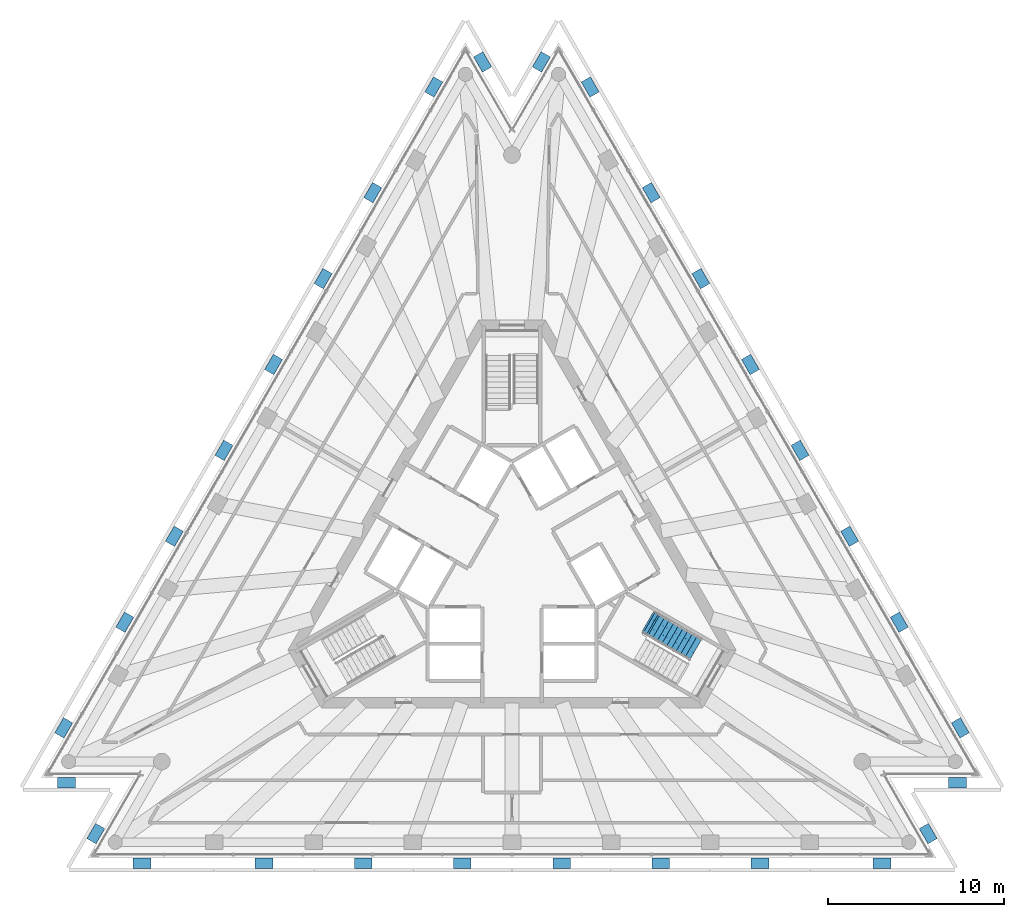
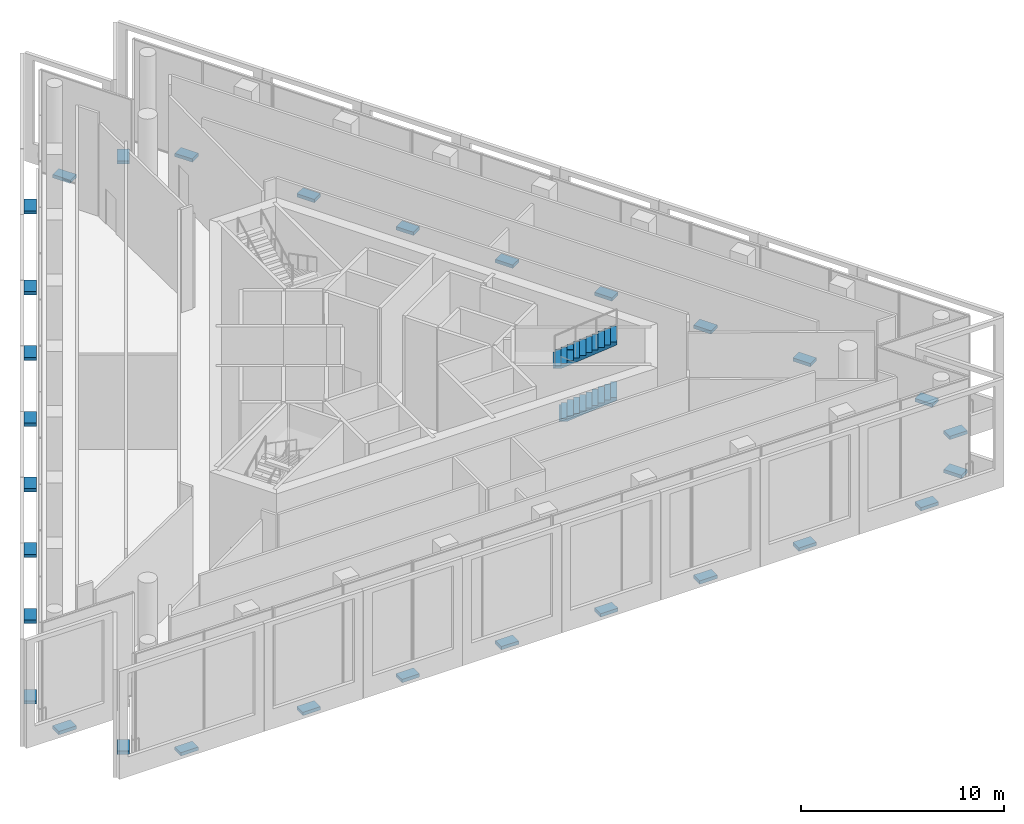
# One storey, part 14 of 16: 30 discrete accessories, 2 stair flights, 1 element without a shape of its own.
"""IFC4 building model written with IfcOpenShell, lengths in metres."""

from ifc_helpers import new_model, si_unit, direction, frame, origin, origin_2d, place, context, subcontext, project, spatial, polyline, rectangle, outline, extrude, material, type_object, element, aggregate, save


model = new_model("IFC4")

# Units and contexts
model_context = context("Model", 3, precision=1e-05, world=origin(), true_north=direction((0.0, 1.0)))
body_context = subcontext(model_context, "Body", "Model", "MODEL_VIEW")
ifc_project = project(units=[si_unit("LENGTHUNIT", "METRE"), si_unit("AREAUNIT", "SQUARE_METRE"), si_unit("VOLUMEUNIT", "CUBIC_METRE"), si_unit("PLANEANGLEUNIT", "RADIAN"), si_unit("MASSUNIT", "GRAM", prefix="KILO")], contexts=[model_context])

# Site, building, storey
site_placement = place(None, origin())
site = spatial("IfcSite", under=ifc_project, at=site_placement, CompositionType="ELEMENT")
building_placement = place(site_placement, origin())
building = spatial("IfcBuilding", under=site, at=building_placement, Name="Triada Interchange Tower", CompositionType="ELEMENT")
storey_placement = place(building_placement, frame((0.0, 0.0, 261.800048828125)))
storey = spatial("IfcBuildingStorey", under=building, at=storey_placement, Name="L61", CompositionType="ELEMENT", Elevation=261.800048828125)

# Stair, stair flights
ifc_material_1 = material(Name="Concrete C35/45", Category="concrete")
stair_type = type_object("IfcStairType", Name="HALF TURN STAIR 1400", PredefinedType="HALF_TURN_STAIR", material=ifc_material_1)
stair_placement = place(storey_placement, origin())
stair = element("IfcStair", 1, at=stair_placement, inside=storey, type_object=stair_type, Name="Exit stair S61-3", PredefinedType="HALF_TURN_STAIR")
stair_flight_type = type_object("IfcStairFlightType", Name="STRAIGHT STAIR FLIGHT 1400", PredefinedType="STRAIGHT", material=ifc_material_1)
stair_flight_1_placement = place(storey_placement, frame((8.069091796875, -3.735107421875, 1.58544921875), z_axis=(0.0, 0.0, 1.0), x_axis=(0.866025403784, -0.5, 0.0)))
stair_flight_1 = element("IfcStairFlight", 2, at=stair_flight_1_placement, type_object=stair_flight_type, Name="S61-3 flight 2", NumberOfRisers=10, NumberOfTreads=9, PredefinedType="STRAIGHT", RiserHeight=0.15854, TreadLength=0.305, context=body_context, shape_type="SweptSolid", body=[
    extrude(outline(polyline([(-0.10009765625, 0.0), (-0.10009765625, 0.02001953125), (0.0, 0.02001953125), (0.0, 0.158447265625), (0.304931640625, 0.158447265625), (0.304931640625, 0.317138671875), (0.610107421875, 0.317138671875), (0.610107421875, 0.4755859375), (0.9150390625, 0.4755859375), (0.9150390625, 0.63427734375), (1.219970703125, 0.63427734375), (1.219970703125, 0.792724609375), (1.52490234375, 0.792724609375), (1.52490234375, 0.951171875), (1.830078125, 0.951171875), (1.830078125, 1.10986328125), (2.135009765625, 1.10986328125), (2.135009765625, 1.268310546875), (2.43994140625, 1.268310546875), (2.43994140625, 1.4267578125), (2.7451171875, 1.4267578125), (2.7490234375, 1.4267578125), (2.7490234375, 1.58544921875), (2.7490234375, 1.2578125), (0.324951171875, 0.0), (-0.10009765625, 0.0)])), frame((0.0, 0.699951171875, 0.0), z_axis=(0.0, -1.0, 0.0), x_axis=(1.0, 0.0, 0.0)), (0.0, 0.0, 1.0), 0.46533203125),
    extrude(outline(polyline([(-0.10009765625, 0.0), (-0.10009765625, 0.02001953125), (0.0, 0.02001953125), (0.0, 0.158447265625), (0.304931640625, 0.158447265625), (0.304931640625, 0.317138671875), (0.610107421875, 0.317138671875), (0.610107421875, 0.4755859375), (0.9150390625, 0.4755859375), (0.9150390625, 0.63427734375), (1.219970703125, 0.63427734375), (1.219970703125, 0.792724609375), (1.52490234375, 0.792724609375), (1.52490234375, 0.951171875), (1.830078125, 0.951171875), (1.830078125, 1.10986328125), (2.135009765625, 1.10986328125), (2.135009765625, 1.268310546875), (2.43994140625, 1.268310546875), (2.43994140625, 1.4267578125), (2.7451171875, 1.4267578125), (2.7490234375, 1.4267578125), (2.7490234375, 1.58544921875), (2.7490234375, 1.2578125), (0.324951171875, 0.0), (-0.10009765625, 0.0)])), frame((0.0, 0.232666015625, 0.0), z_axis=(0.0, -1.0, 0.0), x_axis=(1.0, 0.0, 0.0)), (0.0, 0.0, 1.0), 0.46533203125),
    extrude(outline(polyline([(-0.10009765625, 0.0), (-0.10009765625, 0.02001953125), (0.0, 0.02001953125), (0.0, 0.158447265625), (0.304931640625, 0.158447265625), (0.304931640625, 0.317138671875), (0.610107421875, 0.317138671875), (0.610107421875, 0.4755859375), (0.9150390625, 0.4755859375), (0.9150390625, 0.63427734375), (1.219970703125, 0.63427734375), (1.219970703125, 0.792724609375), (1.52490234375, 0.792724609375), (1.52490234375, 0.951171875), (1.830078125, 0.951171875), (1.830078125, 1.10986328125), (2.135009765625, 1.10986328125), (2.135009765625, 1.268310546875), (2.43994140625, 1.268310546875), (2.43994140625, 1.4267578125), (2.7451171875, 1.4267578125), (2.7490234375, 1.4267578125), (2.7490234375, 1.58544921875), (2.7490234375, 1.2578125), (0.324951171875, 0.0), (-0.10009765625, 0.0)])), frame((0.0, -0.234619140625, 0.0), z_axis=(0.0, -1.0, 0.0), x_axis=(1.0, 0.0, 0.0)), (0.0, 0.0, 1.0), 0.46533203125),
])
stair_flight_2_placement = place(storey_placement, frame((7.804931640625, -3.58203125, 4.756103515625), z_axis=(0.0, 0.0, 1.0), x_axis=(0.866025403784, -0.5, 0.0)))
stair_flight_2 = element("IfcStairFlight", 3, at=stair_flight_2_placement, type_object=stair_flight_type, Name="S61-3 flight 4", NumberOfRisers=11, NumberOfTreads=10, PredefinedType="STRAIGHT", RiserHeight=0.15854, TreadLength=0.305, context=body_context, shape_type="SweptSolid", body=[
    extrude(outline(polyline([(-0.10009765625, 0.0), (-0.10009765625, 0.02001953125), (0.0, 0.02001953125), (0.0, 0.158447265625), (0.304931640625, 0.158447265625), (0.304931640625, 0.317138671875), (0.610107421875, 0.317138671875), (0.610107421875, 0.4755859375), (0.9150390625, 0.4755859375), (0.9150390625, 0.63427734375), (1.219970703125, 0.63427734375), (1.219970703125, 0.792724609375), (1.52490234375, 0.792724609375), (1.52490234375, 0.951171875), (1.830078125, 0.951171875), (1.830078125, 1.10986328125), (2.135009765625, 1.10986328125), (2.135009765625, 1.268310546875), (2.43994140625, 1.268310546875), (2.43994140625, 1.4267578125), (2.7451171875, 1.4267578125), (2.7451171875, 1.58544921875), (3.050048828125, 1.58544921875), (3.053955078125, 1.58544921875), (3.053955078125, 1.743896484375), (3.053955078125, 1.41650390625), (0.324951171875, 0.0), (-0.10009765625, 0.0)])), frame((0.0, 0.699951171875, 0.0), z_axis=(0.0, -1.0, 0.0), x_axis=(1.0, 0.0, 0.0)), (0.0, 0.0, 1.0), 0.46533203125),
    extrude(outline(polyline([(-0.10009765625, 0.0), (-0.10009765625, 0.02001953125), (0.0, 0.02001953125), (0.0, 0.158447265625), (0.304931640625, 0.158447265625), (0.304931640625, 0.317138671875), (0.610107421875, 0.317138671875), (0.610107421875, 0.4755859375), (0.9150390625, 0.4755859375), (0.9150390625, 0.63427734375), (1.219970703125, 0.63427734375), (1.219970703125, 0.792724609375), (1.52490234375, 0.792724609375), (1.52490234375, 0.951171875), (1.830078125, 0.951171875), (1.830078125, 1.10986328125), (2.135009765625, 1.10986328125), (2.135009765625, 1.268310546875), (2.43994140625, 1.268310546875), (2.43994140625, 1.4267578125), (2.7451171875, 1.4267578125), (2.7451171875, 1.58544921875), (3.050048828125, 1.58544921875), (3.053955078125, 1.58544921875), (3.053955078125, 1.743896484375), (3.053955078125, 1.41650390625), (0.324951171875, 0.0), (-0.10009765625, 0.0)])), frame((0.0, 0.232666015625, 0.0), z_axis=(0.0, -1.0, 0.0), x_axis=(1.0, 0.0, 0.0)), (0.0, 0.0, 1.0), 0.46533203125),
    extrude(outline(polyline([(-0.10009765625, 0.0), (-0.10009765625, 0.02001953125), (0.0, 0.02001953125), (0.0, 0.158447265625), (0.304931640625, 0.158447265625), (0.304931640625, 0.317138671875), (0.610107421875, 0.317138671875), (0.610107421875, 0.4755859375), (0.9150390625, 0.4755859375), (0.9150390625, 0.63427734375), (1.219970703125, 0.63427734375), (1.219970703125, 0.792724609375), (1.52490234375, 0.792724609375), (1.52490234375, 0.951171875), (1.830078125, 0.951171875), (1.830078125, 1.10986328125), (2.135009765625, 1.10986328125), (2.135009765625, 1.268310546875), (2.43994140625, 1.268310546875), (2.43994140625, 1.4267578125), (2.7451171875, 1.4267578125), (2.7451171875, 1.58544921875), (3.050048828125, 1.58544921875), (3.053955078125, 1.58544921875), (3.053955078125, 1.743896484375), (3.053955078125, 1.41650390625), (0.324951171875, 0.0), (-0.10009765625, 0.0)])), frame((0.0, -0.234619140625, 0.0), z_axis=(0.0, -1.0, 0.0), x_axis=(1.0, 0.0, 0.0)), (0.0, 0.0, 1.0), 0.46533203125),
])
aggregate(stair, [stair_flight_1, stair_flight_2])

# Discrete accessories
ifc_material_2 = material(Name="Steel S355", Category="steel")
discrete_accessory_type = type_object("IfcDiscreteAccessoryType", Name="Steel bracket outer skin", PredefinedType="BRACKET", material=ifc_material_2)
for number, where, z_axis, x_axis, name in (
    (4, (-4.445068359375, 26.85205078125, -0.27001953125), (0.0, 0.0, 1.0), (-0.866017750414, 0.500013255792, 0.0), "Bracket L61 01"),
    (5, (-7.9140625, 20.843994140625, -0.27001953125), (0.0, 0.0, 1.0), (-0.866017750414, 0.500013255792, 0.0), "Bracket L61 02"),
    (6, (-10.73291015625, 15.9619140625, -0.27001953125), (0.0, 0.0, 1.0), (-0.866017750414, 0.500013255792, 0.0), "Bracket L61 03"),
    (7, (-13.552001953125, 11.0791015625, -0.27001953125), (0.0, 0.0, 1.0), (-0.866017750414, 0.500013255792, 0.0), "Bracket L61 04"),
    (8, (-16.37109375, 6.197021484375, -0.27001953125), (0.0, 0.0, 1.0), (-0.866017750414, 0.500013255792, 0.0), "Bracket L61 05"),
    (9, (-19.18994140625, 1.31396484375, -0.27001953125), (0.0, 0.0, 1.0), (-0.866017750414, 0.500013255792, 0.0), "Bracket L61 06"),
    (10, (-22.009033203125, -3.568115234375, -0.27001953125), (0.0, 0.0, 1.0), (-0.866017750414, 0.500013255792, 0.0), "Bracket L61 07"),
    (11, (-25.47705078125, -9.575927734375, -0.27001953125), (0.0, 0.0, 1.0), (-0.866017750414, 0.500013255792, 0.0), "Bracket L61 08"),
    (12, (-25.322998046875, -12.69189453125, -0.27001953125), (0.0, 0.0, 1.0), (0.0, -1.0, 0.0), "Bracket L61 09"),
    (13, (-23.654052734375, -15.583984375, -0.27001953125), (0.0, 0.0, 1.0), (-0.865990521272, 0.500060413417, 0.0), "Bracket L61 10"),
    (14, (-21.031982421875, -17.27587890625, -0.27001953125), (0.0, 0.0, 1.0), (0.0, -1.0, 0.0), "Bracket L61 11"),
    (15, (-14.094970703125, -17.27587890625, -0.27001953125), (0.0, 0.0, 1.0), (0.0, -1.0, 0.0), "Bracket L61 12"),
    (16, (-8.45703125, -17.27587890625, -0.27001953125), (0.0, 0.0, 1.0), (0.0, -1.0, 0.0), "Bracket L61 13"),
    (17, (-2.819091796875, -17.27587890625, -0.27001953125), (0.0, 0.0, 1.0), (0.0, -1.0, 0.0), "Bracket L61 14"),
    (18, (2.819091796875, -17.27587890625, -0.27001953125), (0.0, 0.0, 1.0), (0.0, -1.0, 0.0), "Bracket L61 15"),
    (19, (8.45703125, -17.27587890625, -0.27001953125), (0.0, 0.0, 1.0), (0.0, -1.0, 0.0), "Bracket L61 16"),
    (20, (14.094970703125, -17.27587890625, -0.27001953125), (0.0, 0.0, 1.0), (0.0, -1.0, 0.0), "Bracket L61 17"),
    (21, (21.031982421875, -17.27587890625, -0.27001953125), (0.0, 0.0, 1.0), (0.0, -1.0, 0.0), "Bracket L61 18"),
    (22, (23.654052734375, -15.583984375, -0.27001953125), (0.0, 0.0, 1.0), (0.865990521272, 0.500060413417, 0.0), "Bracket L61 19"),
    (23, (25.322998046875, -12.69189453125, -0.27001953125), (0.0, 0.0, 1.0), (0.0, -1.0, 0.0), "Bracket L61 20"),
    (24, (25.47705078125, -9.575927734375, -0.27001953125), (0.0, 0.0, 1.0), (0.866017750414, 0.500013255792, 0.0), "Bracket L61 21"),
    (25, (22.009033203125, -3.568115234375, -0.27001953125), (0.0, 0.0, 1.0), (0.866017750414, 0.500013255792, 0.0), "Bracket L61 22"),
    (26, (19.18994140625, 1.31396484375, -0.27001953125), (0.0, 0.0, 1.0), (0.866017750414, 0.500013255792, 0.0), "Bracket L61 23"),
    (27, (16.37109375, 6.197021484375, -0.27001953125), (0.0, 0.0, 1.0), (0.866017750414, 0.500013255792, 0.0), "Bracket L61 24"),
    (28, (13.552001953125, 11.0791015625, -0.27001953125), (0.0, 0.0, 1.0), (0.866017750414, 0.500013255792, 0.0), "Bracket L61 25"),
    (29, (10.73291015625, 15.9619140625, -0.27001953125), (0.0, 0.0, 1.0), (0.866017750414, 0.500013255792, 0.0), "Bracket L61 26"),
    (30, (7.9140625, 20.843994140625, -0.27001953125), (0.0, 0.0, 1.0), (0.866017750414, 0.500013255792, 0.0), "Bracket L61 27"),
    (31, (4.445068359375, 26.85205078125, -0.27001953125), (0.0, 0.0, 1.0), (0.866017750414, 0.500013255792, 0.0), "Bracket L61 28"),
    (32, (1.6689453125, 28.27587890625, -0.27001953125), (0.0, 0.0, 1.0), (-0.866025098352, 0.500000529025, 0.0), "Bracket L61 29"),
    (33, (-1.6689453125, 28.27587890625, -0.27001953125), (0.0, 0.0, 1.0), (0.866025098352, 0.500000529025, 0.0), "Bracket L61 30"),
):
    element("IfcDiscreteAccessory", number, at=place(storey_placement, frame(where, z_axis=z_axis, x_axis=x_axis)), inside=storey, type_object=discrete_accessory_type, Name=name, PredefinedType="BRACKET", context=body_context, shape_type="SweptSolid", body=[
        extrude(rectangle(XDim=0.60009765625, YDim=1.0, at=origin_2d()), origin(), (0.0, 0.0, 1.0), 0.199951171875),
    ])

save(model, "model.ifc")
